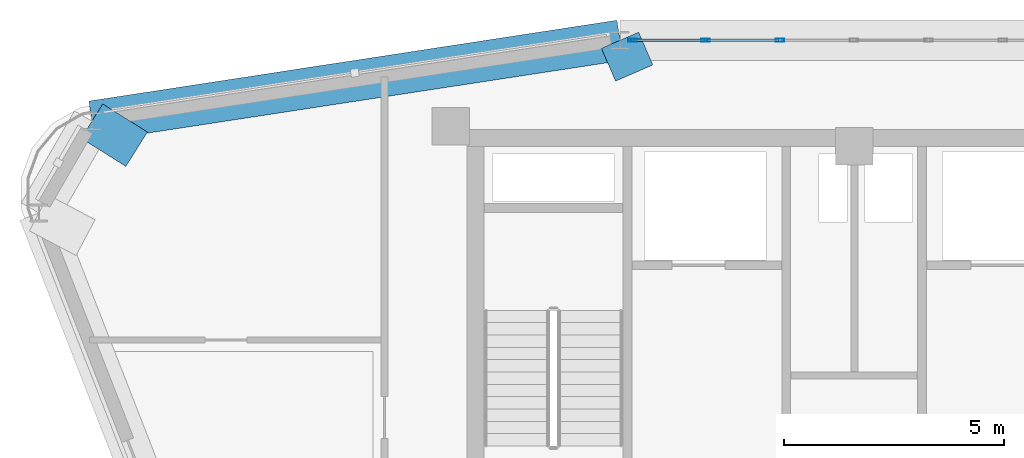
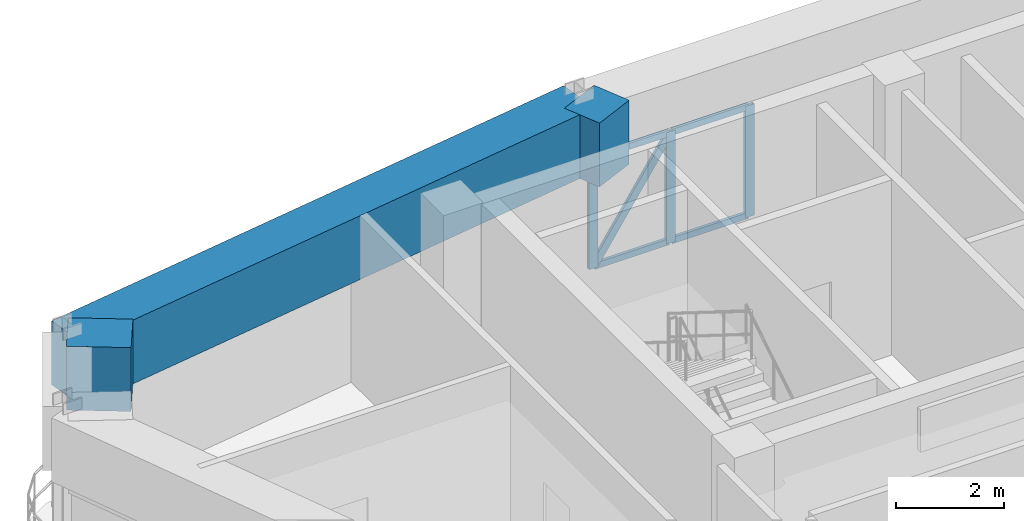
# One storey, part 8 of 16: 8 members, 3 beams, 1 element without a shape of its own.
"""IFC4 building model written with IfcOpenShell, lengths in metres."""

from ifc_helpers import new_model, si_unit, derived_unit, direction, frame, origin, origin_2d, place, context, subcontext, project, spatial, rectangle, hollow_rectangle, extrude, source, transform, mapped, material, layer, layer_set, material_profile, profile_set, type_object, element, aggregate, save


model = new_model("IFC4")

# Units and contexts
model_context = context("Model", 3, precision=1e-05, world=origin(), true_north=direction((0.0, 1.0)))
body_context = subcontext(model_context, "Body", "Model", "MODEL_VIEW")
ifc_project = project(units=[si_unit("LENGTHUNIT", "METRE"), si_unit("AREAUNIT", "SQUARE_METRE"), si_unit("VOLUMEUNIT", "CUBIC_METRE"), si_unit("PLANEANGLEUNIT", "RADIAN"), si_unit("MASSUNIT", "GRAM", prefix="KILO"), derived_unit("THERMALTRANSMITTANCEUNIT", [(si_unit("POWERUNIT", "WATT"), 1), (si_unit("LENGTHUNIT", "METRE"), -2), (si_unit("THERMODYNAMICTEMPERATUREUNIT", "KELVIN"), -1)])], contexts=[model_context])

# Site, building, storey
site_placement = place(None, origin())
site = spatial("IfcSite", under=ifc_project, at=site_placement, CompositionType="ELEMENT")
building_placement = place(site_placement, origin())
building = spatial("IfcBuilding", under=site, at=building_placement, Name="Korsvarv Bourse and Concert Hall", CompositionType="ELEMENT")
storey_placement = place(building_placement, frame((0.0, 0.0, 288.0)))
storey = spatial("IfcBuildingStorey", under=building, at=storey_placement, Name="L75", CompositionType="ELEMENT", Elevation=288.0)

# Beams
ifc_material_1 = material(Name="Concrete C50/60", Category="concrete")
ifc_material_profile_1 = material_profile(ifc_material_1, rectangle(XDim=0.919921875, YDim=1.43994140625, at=origin_2d()), Name="RC-BM 920x1440")
ifc_profile_set_1 = profile_set([ifc_material_profile_1], Name="Concrete C50/60")
beam_type = type_object("IfcBeamType", Name="BM-TR-144", PredefinedType="BEAM", material=ifc_profile_set_1)
shared_shape_1 = source(origin(), body_context, "Body", "SweptSolid", [
    extrude(rectangle(XDim=0.919921875, YDim=1.43994140625, at=origin_2d()), origin(), (0.0, 0.0, 1.0), 12.11767578125),
])
beam_1_placement = place(storey_placement, frame((30.689697265625, 49.2041015625, 3.22998046875), z_axis=(-0.9884869391, -0.151306216755, 0.0), x_axis=(0.151306216755, -0.9884869391, 0.0)))
element("IfcBeam", 1, at=beam_1_placement, inside=storey, type_object=beam_type, Name="L75 beam B-TR4", PredefinedType="BEAM", context=body_context, shape_type="MappedRepresentation", body=[
    mapped(shared_shape_1, transform((0.0, 0.0, 0.0), scale=1.0)),
])
shared_shape_2 = source(origin(), body_context, "Body", "SweptSolid", [
    extrude(rectangle(XDim=0.919921875, YDim=1.43994140625, at=origin_2d()), origin(), (0.0, 0.0, 1.0), 1.197265625),
])
beam_2_placement = place(storey_placement, frame((18.71142578125, 47.37060546875, 3.22998046875), z_axis=(0.846862224146, -0.531812347839, 0.0), x_axis=(0.531812347839, 0.846862224146, 0.0)))
element("IfcBeam", 2, at=beam_2_placement, inside=storey, type_object=beam_type, Name="L75 beam B-TR4", PredefinedType="BEAM", context=body_context, shape_type="MappedRepresentation", body=[
    mapped(shared_shape_2, transform((0.0, 0.0, 0.0), scale=1.0)),
])
shared_shape_3 = source(origin(), body_context, "Body", "SweptSolid", [
    extrude(rectangle(XDim=0.919921875, YDim=1.43994140625, at=origin_2d()), origin(), (0.0, 0.0, 1.0), 0.808837890625),
])
beam_3_placement = place(storey_placement, frame((30.689697265625, 49.2041015625, 3.22998046875), z_axis=(0.397268541529, -0.917702405964, 0.0), x_axis=(0.917702405964, 0.397268541529, 0.0)))
element("IfcBeam", 3, at=beam_3_placement, inside=storey, type_object=beam_type, Name="L75 beam B-TR4", PredefinedType="BEAM", context=body_context, shape_type="MappedRepresentation", body=[
    mapped(shared_shape_3, transform((0.0, 0.0, 0.0), scale=1.0)),
])

# Curtain wall, members
ifc_material_2 = material(Name="Anodised aluminium and triple low-E glazing", Category="glass")
ifc_layer = layer(ifc_material_2, 0.18994140625)
ifc_layer_set = layer_set([ifc_layer], Name="Anodised aluminium and triple low-E glazing")
curtain_wall_type = type_object("IfcCurtainWallType", Name="CW-SYS-4", PredefinedType="NOTDEFINED", material=ifc_layer_set)
curtain_wall_placement = place(storey_placement, origin())
curtain_wall = element("IfcCurtainWall", 4, at=curtain_wall_placement, inside=storey, type_object=curtain_wall_type, Name="L75 CW4 curtain wall CW-L75-F03", PredefinedType="NOTDEFINED")
ifc_material_3 = material(Name="Extruded aluminium EN AW-6063 T66", Category="aluminium")
ifc_material_profile_2 = material_profile(ifc_material_3, hollow_rectangle(XDim=0.070068359375, YDim=0.18994140625, WallThickness=0.0048828125, at=origin_2d()), Name="ALU-M 70x190")
ifc_profile_set_2 = profile_set([ifc_material_profile_2], Name="Extruded aluminium EN AW-6063 T66")
member_type_1 = type_object("IfcMemberType", Name="CWM-190", PredefinedType="MULLION", material=ifc_profile_set_2)
shared_shape_4 = source(origin(), body_context, "Body", "SweptSolid", [
    extrude(hollow_rectangle(XDim=0.070068359375, YDim=0.18994140625, WallThickness=0.0048828125, at=origin_2d()), origin(), (0.0, 0.0, 1.0), 2.510009765625),
])
member_1_placement = place(storey_placement, frame((34.3134765625, 49.2041015625, 0.0), z_axis=(0.0, 0.0, 1.0), x_axis=(0.0, -1.0, 0.0)))
member_1 = element("IfcMember", 5, at=member_1_placement, type_object=member_type_1, Name="CW4 mullion 5", PredefinedType="MULLION", context=body_context, shape_type="MappedRepresentation", body=[
    mapped(shared_shape_4, transform((0.0, 0.0, 0.0), scale=1.0)),
])
member_2_placement = place(storey_placement, frame((32.626953125, 49.2041015625, 0.0), z_axis=(0.0, 0.0, 1.0), x_axis=(0.0, -1.0, 0.0)))
member_2 = element("IfcMember", 6, at=member_2_placement, type_object=member_type_1, Name="CW4 mullion 6", PredefinedType="MULLION", context=body_context, shape_type="MappedRepresentation", body=[
    mapped(shared_shape_4, transform((0.0, 0.0, 0.0), scale=1.0)),
])
member_3_placement = place(storey_placement, frame((30.975341796875, 49.2041015625, 0.0), z_axis=(0.0, 0.0, 1.0), x_axis=(0.0, -1.0, 0.0)))
member_3 = element("IfcMember", 7, at=member_3_placement, type_object=member_type_1, Name="CW4 mullion 7", PredefinedType="MULLION", context=body_context, shape_type="MappedRepresentation", body=[
    mapped(shared_shape_4, transform((0.0, 0.0, 0.0), scale=1.0)),
])
ifc_material_profile_3 = material_profile(ifc_material_3, hollow_rectangle(XDim=0.06494140625, YDim=0.139892578125, WallThickness=0.00390625, at=origin_2d()), Name="ALU-T 65x140")
ifc_profile_set_3 = profile_set([ifc_material_profile_3], Name="Extruded aluminium EN AW-6063 T66")
member_type_2 = type_object("IfcMemberType", Name="CWT-140", PredefinedType="USERDEFINED", material=ifc_profile_set_3)
shared_shape_5 = source(origin(), body_context, "Body", "SweptSolid", [
    extrude(hollow_rectangle(XDim=0.06494140625, YDim=0.139892578125, WallThickness=0.00390625, at=origin_2d()), origin(), (0.0, 0.0, 1.0), 1.58154296875),
])
member_4_placement = place(storey_placement, frame((32.591796875, 49.2041015625, 0.032470703125), z_axis=(-1.0, 0.0, 0.0), x_axis=(0.0, -1.0, 0.0)))
member_4 = element("IfcMember", 8, at=member_4_placement, type_object=member_type_2, Name="CW4 transom 6.1", ObjectType="TRANSOM", PredefinedType="USERDEFINED", context=body_context, shape_type="MappedRepresentation", body=[
    mapped(shared_shape_5, transform((0.0, 0.0, 0.0), scale=1.0)),
])
member_5_placement = place(storey_placement, frame((32.591796875, 49.2041015625, 2.4775390625), z_axis=(-1.0, 0.0, 0.0), x_axis=(0.0, -1.0, 0.0)))
member_5 = element("IfcMember", 9, at=member_5_placement, type_object=member_type_2, Name="CW4 transom 6.2", ObjectType="TRANSOM", PredefinedType="USERDEFINED", context=body_context, shape_type="MappedRepresentation", body=[
    mapped(shared_shape_5, transform((0.0, 0.0, 0.0), scale=1.0)),
])
shared_shape_6 = source(origin(), body_context, "Body", "SweptSolid", [
    extrude(hollow_rectangle(XDim=0.06494140625, YDim=0.139892578125, WallThickness=0.00390625, at=origin_2d()), origin(), (0.0, 0.0, 1.0), 1.616455078125),
])
member_6_placement = place(storey_placement, frame((34.2783203125, 49.2041015625, 0.032470703125), z_axis=(-1.0, 0.0, 0.0), x_axis=(0.0, -1.0, 0.0)))
member_6 = element("IfcMember", 10, at=member_6_placement, type_object=member_type_2, Name="CW4 transom 5.1", ObjectType="TRANSOM", PredefinedType="USERDEFINED", context=body_context, shape_type="MappedRepresentation", body=[
    mapped(shared_shape_6, transform((0.0, 0.0, 0.0), scale=1.0)),
])
member_7_placement = place(storey_placement, frame((34.2783203125, 49.2041015625, 2.4775390625), z_axis=(-1.0, 0.0, 0.0), x_axis=(0.0, -1.0, 0.0)))
member_7 = element("IfcMember", 11, at=member_7_placement, type_object=member_type_2, Name="CW4 transom 5.2", ObjectType="TRANSOM", PredefinedType="USERDEFINED", context=body_context, shape_type="MappedRepresentation", body=[
    mapped(shared_shape_6, transform((0.0, 0.0, 0.0), scale=1.0)),
])
ifc_material_profile_4 = material_profile(ifc_material_3, hollow_rectangle(XDim=0.06494140625, YDim=0.1650390625, WallThickness=0.0048828125, at=origin_2d()), Name="ALU-M 65x165")
ifc_profile_set_4 = profile_set([ifc_material_profile_4], Name="Extruded aluminium EN AW-6063 T66")
member_type_3 = type_object("IfcMemberType", Name="CWM-165", PredefinedType="MULLION", material=ifc_profile_set_4)
shared_shape_7 = source(origin(), body_context, "Body", "SweptSolid", [
    extrude(hollow_rectangle(XDim=0.06494140625, YDim=0.1650390625, WallThickness=0.0048828125, at=origin_2d()), origin(), (0.0, 0.0, 1.0), 2.857666015625),
])
member_8_placement = place(storey_placement, frame((31.01025390625, 49.2041015625, 0.06494140625), z_axis=(0.553437772329, 0.0, 0.832890528317), x_axis=(0.0, 1.0, 0.0)))
member_8 = element("IfcMember", 12, at=member_8_placement, type_object=member_type_3, Name="CW4 diagonal mullion 6", PredefinedType="MULLION", context=body_context, shape_type="MappedRepresentation", body=[
    mapped(shared_shape_7, transform((0.0, 0.0, 0.0), scale=1.0)),
])
aggregate(curtain_wall, [member_1, member_2, member_3, member_6, member_7, member_4, member_5, member_8])

save(model, "model.ifc")
